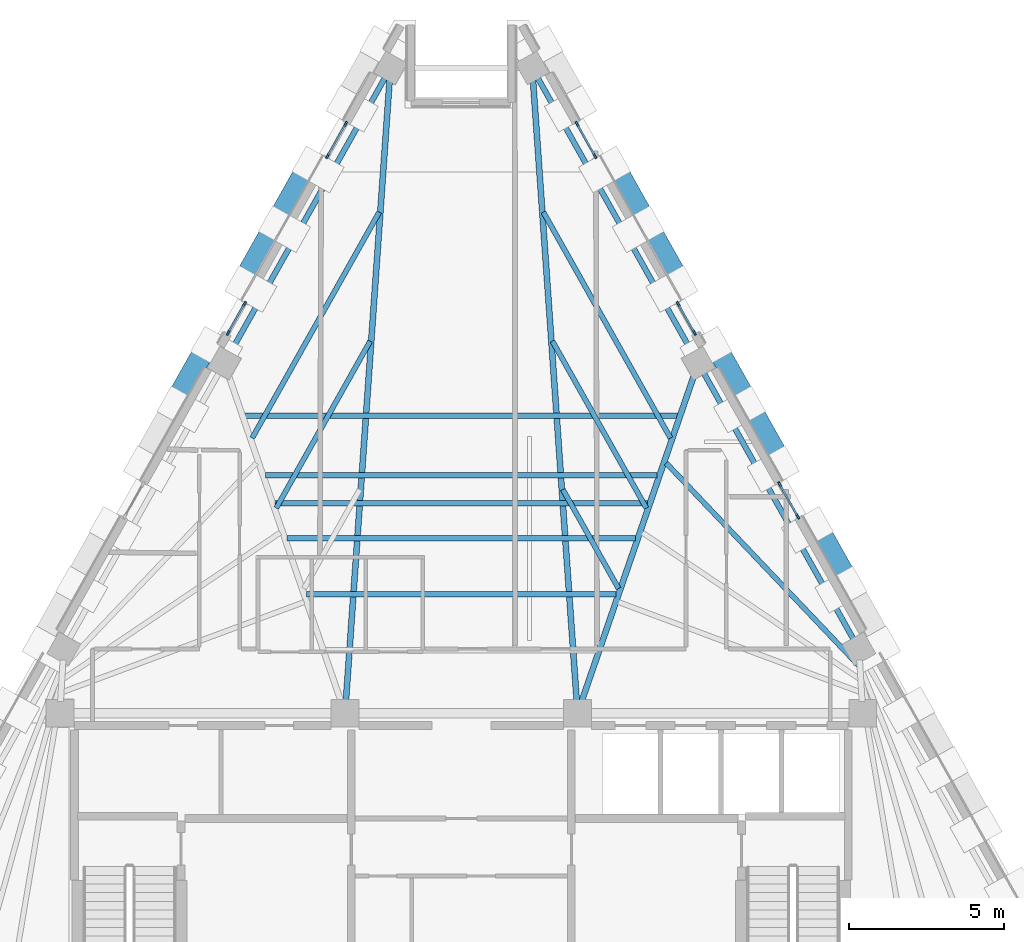
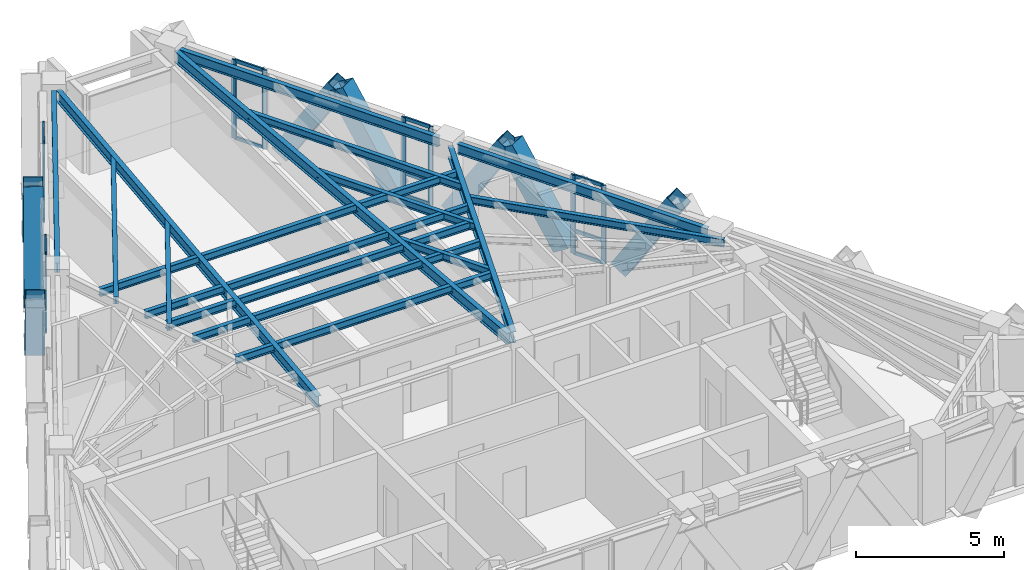
# One storey, part 3 of 9: 33 members, 17 beams, 5 elements without a shape of their own.
"""IFC4 building model written with IfcOpenShell, lengths in metres."""

from ifc_helpers import new_model, si_unit, direction, frame, origin, origin_2d, place, context, subcontext, project, spatial, rectangle, hollow_rectangle, i_section, extrude, material, material_profile, profile_set, type_object, element, aggregate, save


model = new_model("IFC4")

# Units and contexts
model_context = context("Model", 3, precision=1e-05, world=origin(), true_north=direction((0.0, 1.0)))
body_context = subcontext(model_context, "Body", "Model", "MODEL_VIEW")
ifc_project = project(units=[si_unit("LENGTHUNIT", "METRE"), si_unit("AREAUNIT", "SQUARE_METRE"), si_unit("VOLUMEUNIT", "CUBIC_METRE"), si_unit("PLANEANGLEUNIT", "RADIAN"), si_unit("MASSUNIT", "GRAM", prefix="KILO")], contexts=[model_context])

# Site, building, storey
site_placement = place(None, origin())
site = spatial("IfcSite", under=ifc_project, at=site_placement, CompositionType="ELEMENT")
building_placement = place(site_placement, origin())
building = spatial("IfcBuilding", under=site, at=building_placement, Name="Quenlor Broadcast Tower", CompositionType="ELEMENT")
storey_placement = place(building_placement, frame((0.0, 0.0, 235.89990234375)))
storey = spatial("IfcBuildingStorey", under=building, at=storey_placement, Name="L65", CompositionType="ELEMENT", Elevation=235.89990234375)

# Curtain wall, members
ifc_material_1 = material(Name="Architectural Terracotta and Low-E Glazing", Category="masonry")
curtain_wall_type = type_object("IfcCurtainWallType", Name="Unitised Terracotta Curtain Wall System Z5", PredefinedType="NOTDEFINED", material=ifc_material_1)
curtain_wall_1_placement = place(storey_placement, origin())
curtain_wall_1 = element("IfcCurtainWall", 1, at=curtain_wall_1_placement, inside=storey, type_object=curtain_wall_type, Name="L65 Curtain Wall CW5 (L65-NEA-G1)", PredefinedType="NOTDEFINED")
ifc_material_2 = material(Name="Aluminium 6063-T6", Category="aluminium")
ifc_material_profile_1 = material_profile(ifc_material_2, rectangle(XDim=0.06494140625, YDim=0.169921875, at=origin_2d()))
ifc_profile_set_1 = profile_set([ifc_material_profile_1], Name="Aluminium 6063-T6 MULL65x170")
member_type_1 = type_object("IfcMemberType", Name="CW5 Aluminium Mullion MULL_CW5", PredefinedType="MULLION", material=ifc_profile_set_1)
member_1_placement = place(storey_placement, frame((3.72802734375, 14.211669921875, 0.0), z_axis=(0.0, 0.0, 1.0), x_axis=(0.871558583916, 0.49029137745, 0.0)))
member_1 = element("IfcMember", 2, at=member_1_placement, type_object=member_type_1, Name="CW5 mullion 1", PredefinedType="MULLION", context=body_context, shape_type="SweptSolid", body=[
    extrude(rectangle(XDim=0.06494140625, YDim=0.169921875, at=origin_2d()), origin(), (0.0, 0.0, 1.0), 3.25),
])
member_2_placement = place(storey_placement, frame((4.31396484375, 13.169921875, 0.0), z_axis=(0.0, 0.0, 1.0), x_axis=(0.871558583916, 0.49029137745, 0.0)))
member_2 = element("IfcMember", 3, at=member_2_placement, type_object=member_type_1, Name="CW5 mullion 2", PredefinedType="MULLION", context=body_context, shape_type="SweptSolid", body=[
    extrude(rectangle(XDim=0.06494140625, YDim=0.169921875, at=origin_2d()), origin(), (0.0, 0.0, 1.0), 3.25),
])

curtain_wall_2_placement = place(storey_placement, origin())
curtain_wall_2 = element("IfcCurtainWall", 4, at=curtain_wall_2_placement, inside=storey, type_object=curtain_wall_type, Name="L65 Curtain Wall CW5 (L65-NEA-G2)", PredefinedType="NOTDEFINED")
member_3_placement = place(storey_placement, frame((6.99755859375, 8.39892578125, 0.0), z_axis=(0.0, 0.0, 1.0), x_axis=(0.871563693894, 0.490282293669, 0.0)))
member_3 = element("IfcMember", 5, at=member_3_placement, type_object=member_type_1, Name="CW5 mullion 1", PredefinedType="MULLION", context=body_context, shape_type="SweptSolid", body=[
    extrude(rectangle(XDim=0.06494140625, YDim=0.169921875, at=origin_2d()), origin(), (0.0, 0.0, 1.0), 3.25),
])
member_4_placement = place(storey_placement, frame((7.5185546875, 7.472900390625, 0.0), z_axis=(0.0, 0.0, 1.0), x_axis=(0.871563693894, 0.490282293669, 0.0)))
member_4 = element("IfcMember", 6, at=member_4_placement, type_object=member_type_1, Name="CW5 mullion 2", PredefinedType="MULLION", context=body_context, shape_type="SweptSolid", body=[
    extrude(rectangle(XDim=0.06494140625, YDim=0.169921875, at=origin_2d()), origin(), (0.0, 0.0, 1.0), 3.25),
])

curtain_wall_3_placement = place(storey_placement, origin())
curtain_wall_3 = element("IfcCurtainWall", 7, at=curtain_wall_3_placement, inside=storey, type_object=curtain_wall_type, Name="L65 Curtain Wall CW5 (L65-NE-G1)", PredefinedType="NOTDEFINED")
member_5_placement = place(storey_placement, frame((10.267333984375, 2.586181640625, 0.0), z_axis=(0.0, 0.0, 1.0), x_axis=(0.871592489955, 0.490231100048, 0.0)))
member_5 = element("IfcMember", 8, at=member_5_placement, type_object=member_type_1, Name="CW5 mullion 1", PredefinedType="MULLION", context=body_context, shape_type="SweptSolid", body=[
    extrude(rectangle(XDim=0.06494140625, YDim=0.169921875, at=origin_2d()), origin(), (0.0, 0.0, 1.0), 3.25),
])
member_6_placement = place(storey_placement, frame((10.853271484375, 1.54443359375, 0.0), z_axis=(0.0, 0.0, 1.0), x_axis=(0.871592489955, 0.490231100048, 0.0)))
member_6 = element("IfcMember", 9, at=member_6_placement, type_object=member_type_1, Name="CW5 mullion 2", PredefinedType="MULLION", context=body_context, shape_type="SweptSolid", body=[
    extrude(rectangle(XDim=0.06494140625, YDim=0.169921875, at=origin_2d()), origin(), (0.0, 0.0, 1.0), 3.25),
])

curtain_wall_4_placement = place(storey_placement, origin())
curtain_wall_4 = element("IfcCurtainWall", 10, at=curtain_wall_4_placement, inside=storey, type_object=curtain_wall_type, Name="L65 Curtain Wall CW5 (L65-NWC-G1)", PredefinedType="NOTDEFINED")
member_7_placement = place(storey_placement, frame((-7.5185546875, 7.472900390625, 0.0), z_axis=(0.0, 0.0, 1.0), x_axis=(-0.871563693894, 0.490282293669, 0.0)))
member_7 = element("IfcMember", 11, at=member_7_placement, type_object=member_type_1, Name="CW5 mullion 1", PredefinedType="MULLION", context=body_context, shape_type="SweptSolid", body=[
    extrude(rectangle(XDim=0.06494140625, YDim=0.169921875, at=origin_2d()), origin(), (0.0, 0.0, 1.0), 3.25),
])
member_8_placement = place(storey_placement, frame((-6.99755859375, 8.39892578125, 0.0), z_axis=(0.0, 0.0, 1.0), x_axis=(-0.871563693894, 0.490282293669, 0.0)))
member_8 = element("IfcMember", 12, at=member_8_placement, type_object=member_type_1, Name="CW5 mullion 2", PredefinedType="MULLION", context=body_context, shape_type="SweptSolid", body=[
    extrude(rectangle(XDim=0.06494140625, YDim=0.169921875, at=origin_2d()), origin(), (0.0, 0.0, 1.0), 3.25),
])

curtain_wall_5_placement = place(storey_placement, origin())
curtain_wall_5 = element("IfcCurtainWall", 13, at=curtain_wall_5_placement, inside=storey, type_object=curtain_wall_type, Name="L65 Curtain Wall CW5 (L65-NWC-G2)", PredefinedType="NOTDEFINED")
member_9_placement = place(storey_placement, frame((-4.31396484375, 13.169921875, 0.0), z_axis=(0.0, 0.0, 1.0), x_axis=(-0.871558583916, 0.49029137745, 0.0)))
member_9 = element("IfcMember", 14, at=member_9_placement, type_object=member_type_1, Name="CW5 mullion 1", PredefinedType="MULLION", context=body_context, shape_type="SweptSolid", body=[
    extrude(rectangle(XDim=0.06494140625, YDim=0.169921875, at=origin_2d()), origin(), (0.0, 0.0, 1.0), 3.25),
])
member_10_placement = place(storey_placement, frame((-3.72802734375, 14.211669921875, 0.0), z_axis=(0.0, 0.0, 1.0), x_axis=(-0.871558583916, 0.49029137745, 0.0)))
member_10 = element("IfcMember", 15, at=member_10_placement, type_object=member_type_1, Name="CW5 mullion 2", PredefinedType="MULLION", context=body_context, shape_type="SweptSolid", body=[
    extrude(rectangle(XDim=0.06494140625, YDim=0.169921875, at=origin_2d()), origin(), (0.0, 0.0, 1.0), 3.25),
])

# Member
ifc_material_3 = material(Name="Aluminium 6063-T6", Category="aluminium")
ifc_material_profile_2 = material_profile(ifc_material_3, rectangle(XDim=0.06494140625, YDim=0.139892578125, at=origin_2d()))
ifc_profile_set_2 = profile_set([ifc_material_profile_2], Name="Aluminium 6063-T6 TRAN65x140")
member_type_2 = type_object("IfcMemberType", Name="CW5 Aluminium Transom TRAN_CW5", PredefinedType="USERDEFINED", material=ifc_profile_set_2)
member_11_placement = place(storey_placement, frame((3.743896484375, 14.183349609375, 0.03271484375), z_axis=(0.490312513966, -0.871546693327, 0.0), x_axis=(0.871546693327, 0.490312513966, 0.0)))
member_11 = element("IfcMember", 16, at=member_11_placement, type_object=member_type_2, Name="CW5 transom 1.1", ObjectType="TRANSOM", PredefinedType="USERDEFINED", context=body_context, shape_type="SweptSolid", body=[
    extrude(rectangle(XDim=0.06494140625, YDim=0.139892578125, at=origin_2d()), origin(), (0.0, 0.0, 1.0), 1.13037109375),
])

member_12_placement = place(storey_placement, frame((3.743896484375, 14.183349609375, 0.9501953125), z_axis=(0.490312513966, -0.871546693327, 0.0), x_axis=(0.871546693327, 0.490312513966, 0.0)))
member_12 = element("IfcMember", 17, at=member_12_placement, type_object=member_type_2, Name="CW5 transom 1.2", ObjectType="TRANSOM", PredefinedType="USERDEFINED", context=body_context, shape_type="SweptSolid", body=[
    extrude(rectangle(XDim=0.06494140625, YDim=0.139892578125, at=origin_2d()), origin(), (0.0, 0.0, 1.0), 1.13037109375),
])

member_13_placement = place(storey_placement, frame((3.743896484375, 14.183349609375, 3.217529296875), z_axis=(0.490312513966, -0.871546693327, 0.0), x_axis=(0.871546693327, 0.490312513966, 0.0)))
member_13 = element("IfcMember", 18, at=member_13_placement, type_object=member_type_2, Name="CW5 transom 1.3", ObjectType="TRANSOM", PredefinedType="USERDEFINED", context=body_context, shape_type="SweptSolid", body=[
    extrude(rectangle(XDim=0.06494140625, YDim=0.139892578125, at=origin_2d()), origin(), (0.0, 0.0, 1.0), 1.13037109375),
])

aggregate(curtain_wall_1, [member_1, member_2, member_11, member_12, member_13])

member_14_placement = place(storey_placement, frame((7.013427734375, 8.37060546875, 0.03271484375), z_axis=(0.490249619047, -0.871582073602, 0.0), x_axis=(0.871582073602, 0.490249619047, 0.0)))
member_14 = element("IfcMember", 19, at=member_14_placement, type_object=member_type_2, Name="CW5 transom 1.1", ObjectType="TRANSOM", PredefinedType="USERDEFINED", context=body_context, shape_type="SweptSolid", body=[
    extrude(rectangle(XDim=0.06494140625, YDim=0.139892578125, at=origin_2d()), origin(), (0.0, 0.0, 1.0), 0.99755859375),
])

member_15_placement = place(storey_placement, frame((7.013427734375, 8.37060546875, 0.9501953125), z_axis=(0.490249619047, -0.871582073602, 0.0), x_axis=(0.871582073602, 0.490249619047, 0.0)))
member_15 = element("IfcMember", 20, at=member_15_placement, type_object=member_type_2, Name="CW5 transom 1.2", ObjectType="TRANSOM", PredefinedType="USERDEFINED", context=body_context, shape_type="SweptSolid", body=[
    extrude(rectangle(XDim=0.06494140625, YDim=0.139892578125, at=origin_2d()), origin(), (0.0, 0.0, 1.0), 0.99755859375),
])

member_16_placement = place(storey_placement, frame((7.013427734375, 8.37060546875, 3.217529296875), z_axis=(0.490249619047, -0.871582073602, 0.0), x_axis=(0.871582073602, 0.490249619047, 0.0)))
member_16 = element("IfcMember", 21, at=member_16_placement, type_object=member_type_2, Name="CW5 transom 1.3", ObjectType="TRANSOM", PredefinedType="USERDEFINED", context=body_context, shape_type="SweptSolid", body=[
    extrude(rectangle(XDim=0.06494140625, YDim=0.139892578125, at=origin_2d()), origin(), (0.0, 0.0, 1.0), 0.99755859375),
])

aggregate(curtain_wall_2, [member_3, member_4, member_14, member_15, member_16])

member_17_placement = place(storey_placement, frame((10.283203125, 2.557861328125, 0.03271484375), z_axis=(0.490312513966, -0.871546693327, 0.0), x_axis=(0.871546693327, 0.490312513966, 0.0)))
member_17 = element("IfcMember", 22, at=member_17_placement, type_object=member_type_2, Name="CW5 transom 1.1", ObjectType="TRANSOM", PredefinedType="USERDEFINED", context=body_context, shape_type="SweptSolid", body=[
    extrude(rectangle(XDim=0.06494140625, YDim=0.139892578125, at=origin_2d()), origin(), (0.0, 0.0, 1.0), 1.13037109375),
])

member_18_placement = place(storey_placement, frame((10.283203125, 2.557861328125, 0.9501953125), z_axis=(0.490312513966, -0.871546693327, 0.0), x_axis=(0.871546693327, 0.490312513966, 0.0)))
member_18 = element("IfcMember", 23, at=member_18_placement, type_object=member_type_2, Name="CW5 transom 1.2", ObjectType="TRANSOM", PredefinedType="USERDEFINED", context=body_context, shape_type="SweptSolid", body=[
    extrude(rectangle(XDim=0.06494140625, YDim=0.139892578125, at=origin_2d()), origin(), (0.0, 0.0, 1.0), 1.13037109375),
])

member_19_placement = place(storey_placement, frame((10.283203125, 2.557861328125, 3.217529296875), z_axis=(0.490312513966, -0.871546693327, 0.0), x_axis=(0.871546693327, 0.490312513966, 0.0)))
member_19 = element("IfcMember", 24, at=member_19_placement, type_object=member_type_2, Name="CW5 transom 1.3", ObjectType="TRANSOM", PredefinedType="USERDEFINED", context=body_context, shape_type="SweptSolid", body=[
    extrude(rectangle(XDim=0.06494140625, YDim=0.139892578125, at=origin_2d()), origin(), (0.0, 0.0, 1.0), 1.13037109375),
])

aggregate(curtain_wall_3, [member_5, member_6, member_17, member_18, member_19])

member_20_placement = place(storey_placement, frame((-7.50244140625, 7.501220703125, 0.03271484375), z_axis=(0.490249619047, 0.871582073602, 0.0), x_axis=(-0.871582073602, 0.490249619047, 0.0)))
member_20 = element("IfcMember", 25, at=member_20_placement, type_object=member_type_2, Name="CW5 transom 1.1", ObjectType="TRANSOM", PredefinedType="USERDEFINED", context=body_context, shape_type="SweptSolid", body=[
    extrude(rectangle(XDim=0.06494140625, YDim=0.139892578125, at=origin_2d()), origin(), (0.0, 0.0, 1.0), 0.99755859375),
])

member_21_placement = place(storey_placement, frame((-7.50244140625, 7.501220703125, 0.9501953125), z_axis=(0.490249619047, 0.871582073602, 0.0), x_axis=(-0.871582073602, 0.490249619047, 0.0)))
member_21 = element("IfcMember", 26, at=member_21_placement, type_object=member_type_2, Name="CW5 transom 1.2", ObjectType="TRANSOM", PredefinedType="USERDEFINED", context=body_context, shape_type="SweptSolid", body=[
    extrude(rectangle(XDim=0.06494140625, YDim=0.139892578125, at=origin_2d()), origin(), (0.0, 0.0, 1.0), 0.99755859375),
])

member_22_placement = place(storey_placement, frame((-7.50244140625, 7.501220703125, 3.217529296875), z_axis=(0.490249619047, 0.871582073602, 0.0), x_axis=(-0.871582073602, 0.490249619047, 0.0)))
member_22 = element("IfcMember", 27, at=member_22_placement, type_object=member_type_2, Name="CW5 transom 1.3", ObjectType="TRANSOM", PredefinedType="USERDEFINED", context=body_context, shape_type="SweptSolid", body=[
    extrude(rectangle(XDim=0.06494140625, YDim=0.139892578125, at=origin_2d()), origin(), (0.0, 0.0, 1.0), 0.99755859375),
])

aggregate(curtain_wall_4, [member_7, member_8, member_20, member_21, member_22])

member_23_placement = place(storey_placement, frame((-4.298095703125, 13.1982421875, 0.03271484375), z_axis=(0.490312513966, 0.871546693327, 0.0), x_axis=(-0.871546693327, 0.490312513966, 0.0)))
member_23 = element("IfcMember", 28, at=member_23_placement, type_object=member_type_2, Name="CW5 transom 1.1", ObjectType="TRANSOM", PredefinedType="USERDEFINED", context=body_context, shape_type="SweptSolid", body=[
    extrude(rectangle(XDim=0.06494140625, YDim=0.139892578125, at=origin_2d()), origin(), (0.0, 0.0, 1.0), 1.13037109375),
])

member_24_placement = place(storey_placement, frame((-4.298095703125, 13.1982421875, 0.9501953125), z_axis=(0.490312513966, 0.871546693327, 0.0), x_axis=(-0.871546693327, 0.490312513966, 0.0)))
member_24 = element("IfcMember", 29, at=member_24_placement, type_object=member_type_2, Name="CW5 transom 1.2", ObjectType="TRANSOM", PredefinedType="USERDEFINED", context=body_context, shape_type="SweptSolid", body=[
    extrude(rectangle(XDim=0.06494140625, YDim=0.139892578125, at=origin_2d()), origin(), (0.0, 0.0, 1.0), 1.13037109375),
])

member_25_placement = place(storey_placement, frame((-4.298095703125, 13.1982421875, 3.217529296875), z_axis=(0.490312513966, 0.871546693327, 0.0), x_axis=(-0.871546693327, 0.490312513966, 0.0)))
member_25 = element("IfcMember", 30, at=member_25_placement, type_object=member_type_2, Name="CW5 transom 1.3", ObjectType="TRANSOM", PredefinedType="USERDEFINED", context=body_context, shape_type="SweptSolid", body=[
    extrude(rectangle(XDim=0.06494140625, YDim=0.139892578125, at=origin_2d()), origin(), (0.0, 0.0, 1.0), 1.13037109375),
])

aggregate(curtain_wall_5, [member_9, member_10, member_23, member_24, member_25])

# Members
ifc_material_4 = material(Name="Steel S355", Category="steel")
ifc_material_profile_3 = material_profile(ifc_material_4, hollow_rectangle(XDim=0.679931640625, YDim=0.679931640625, WallThickness=0.02001953125, at=origin_2d()))
ifc_profile_set_3 = profile_set([ifc_material_profile_3], Name="Steel S355 RHS680x680x20")
member_type_3 = type_object("IfcMemberType", Name="Perimeter Diagonal Lattice Brace Z5-Crown Steel S355 RHS680x20", PredefinedType="BRACE", material=ifc_profile_set_3)
for number, where, z_axis, x_axis, name in (
    (31, (4.916748046875, 12.904052734375, -0.119873046875), (0.260563732169, -0.463283497491, 0.847038926161), (0.871602253711, 0.49021374045, 0.0), "L65 Perimeter Diamond Lattice NE-C1S"),
    (32, (8.186279296875, 7.09130859375, -0.119873046875), (0.260618804175, -0.463276364439, 0.847025884529), (0.8715547569, 0.490298180422, 0.0), "L65 Perimeter Diamond Lattice NE-C2S"),
    (33, (7.08349609375, 9.052001953125, -0.119873046875), (-0.260618804175, 0.463276364439, 0.847025884529), (-0.8715547569, -0.490298180422, 0.0), "L65 Perimeter Diamond Lattice NE-C2B"),
    (34, (11.4560546875, 1.2783203125, -0.119873046875), (0.260618804175, -0.463276364439, 0.847025884529), (0.8715547569, 0.490298180422, 0.0), "L65 Perimeter Diamond Lattice NE-C3S"),
    (35, (10.35302734375, 3.2392578125, -0.119873046875), (-0.260563732169, 0.463283497491, 0.847038926161), (-0.871602253711, -0.49021374045, 0.0), "L65 Perimeter Diamond Lattice NE-C3B"),
    (36, (-7.08349609375, 9.052001953125, -0.119873046875), (0.260618804175, 0.463276364439, 0.847025884529), (-0.8715547569, 0.490298180422, 0.0), "L65 Perimeter Diamond Lattice NW-C4S"),
    (37, (-8.186279296875, 7.09130859375, -0.119873046875), (-0.260618804175, -0.463276364439, 0.847025884529), (0.8715547569, -0.490298180422, 0.0), "L65 Perimeter Diamond Lattice NW-C4B"),
    (38, (-4.916748046875, 12.904052734375, -0.119873046875), (-0.260563732169, -0.463283497491, 0.847038926161), (0.871602253711, -0.49021374045, 0.0), "L65 Perimeter Diamond Lattice NW-C5B"),
):
    element("IfcMember", number, at=place(storey_placement, frame(where, z_axis=z_axis, x_axis=x_axis)), inside=storey, type_object=member_type_3, Name=name, PredefinedType="BRACE", context=body_context, shape_type="SweptSolid", body=[
        extrude(hollow_rectangle(XDim=0.679931640625, YDim=0.679931640625, WallThickness=0.02001953125, at=origin_2d()), origin(), (0.0, 0.0, 1.0), 4.132080078125),
    ])

# Beams
ifc_material_5 = material(Name="Steel S355", Category="steel")
ifc_material_profile_4 = material_profile(ifc_material_5, i_section(OverallWidth=0.177978515625, OverallDepth=0.406494140625, WebThickness=0.0078125, FlangeThickness=0.0126953125, FilletRadius=0.011474609375, at=origin_2d()))
ifc_profile_set_4 = profile_set([ifc_material_profile_4], Name="Steel S355 410UB59.7")
beam_type_1 = type_object("IfcBeamType", Name="Perimeter Spandrel Beam Z5 Steel S355 410UB59.7", PredefinedType="SPANDREL", material=ifc_profile_set_4)
beam_1_placement = place(storey_placement, frame((12.64892578125, -2.412841796875, 3.046875), z_axis=(-0.49024947634, 0.871582153872, 0.0), x_axis=(-0.871582153872, -0.49024947634, 0.0)))
element("IfcBeam", 39, at=beam_1_placement, inside=storey, type_object=beam_type_1, Name="L65 Spandrel Beam NE2-NE3", PredefinedType="SPANDREL", context=body_context, shape_type="SweptSolid", body=[
    extrude(i_section(OverallWidth=0.177978515625, OverallDepth=0.406494140625, WebThickness=0.0078125, FlangeThickness=0.0126953125, FilletRadius=0.011474609375, at=origin_2d()), origin(), (0.0, 0.0, 1.0), 9.853759765625),
])
for number, where, z_axis, x_axis, name in (
    (40, (7.465087890625, 6.802978515625, 3.046875), (-0.490264646634, 0.871573620677, 0.0), (-0.871573620677, -0.490264646634, 0.0), "L65 Spandrel Beam NE3-NE4"),
    (41, (-2.461181640625, 15.69873046875, 3.046875), (-0.490264646634, -0.871573620677, 0.0), (0.871573620677, -0.490264646634, 0.0), "L65 Spandrel Beam NW1-NW2"),
):
    element("IfcBeam", number, at=place(storey_placement, frame(where, z_axis=z_axis, x_axis=x_axis)), inside=storey, type_object=beam_type_1, Name=name, PredefinedType="SPANDREL", context=body_context, shape_type="SweptSolid", body=[
        extrude(i_section(OverallWidth=0.177978515625, OverallDepth=0.406494140625, WebThickness=0.0078125, FlangeThickness=0.0126953125, FilletRadius=0.011474609375, at=origin_2d()), origin(), (0.0, 0.0, 1.0), 10.20654296875),
    ])
ifc_material_6 = material(Name="Steel S355", Category="steel")
ifc_material_profile_5 = material_profile(ifc_material_6, i_section(OverallWidth=0.166015625, OverallDepth=0.30712890625, WebThickness=0.006591796875, FlangeThickness=0.01171875, FilletRadius=0.011474609375, at=origin_2d()))
ifc_profile_set_5 = profile_set([ifc_material_profile_5], Name="Steel S355 310UB46.2")
beam_type_2 = type_object("IfcBeamType", Name="Tower Composite Joist Z4-Z5 Steel S355 310UB46.2", PredefinedType="JOIST", material=ifc_profile_set_5)
beam_2_placement = place(storey_placement, frame((-6.0048828125, 1.9736328125, 3.096435546875), z_axis=(1.0, 0.0, 0.0), x_axis=(0.0, 1.0, 0.0)))
element("IfcBeam", 42, at=beam_2_placement, inside=storey, type_object=beam_type_2, Name="L65 Secondary Composite Joist 2", PredefinedType="JOIST", context=body_context, shape_type="SweptSolid", body=[
    extrude(i_section(OverallWidth=0.166015625, OverallDepth=0.30712890625, WebThickness=0.006591796875, FlangeThickness=0.01171875, FilletRadius=0.011474609375, at=origin_2d()), origin(), (0.0, 0.0, 1.0), 12.009765625),
])
beam_3_placement = place(storey_placement, frame((-4.9931640625, -0.961669921875, 3.096435546875), z_axis=(1.0, 0.0, 0.0), x_axis=(0.0, 1.0, 0.0)))
element("IfcBeam", 43, at=beam_3_placement, inside=storey, type_object=beam_type_2, Name="L65 Secondary Composite Joist 3", PredefinedType="JOIST", context=body_context, shape_type="SweptSolid", body=[
    extrude(i_section(OverallWidth=0.166015625, OverallDepth=0.30712890625, WebThickness=0.006591796875, FlangeThickness=0.01171875, FilletRadius=0.011474609375, at=origin_2d()), origin(), (0.0, 0.0, 1.0), 9.986328125),
])
beam_4_placement = place(storey_placement, frame((-5.61572265625, 0.8447265625, 3.096435546875), z_axis=(1.0, 0.0, 0.0), x_axis=(0.0, 1.0, 0.0)))
element("IfcBeam", 44, at=beam_4_placement, inside=storey, type_object=beam_type_2, Name="L65 Secondary Composite Joist 4", PredefinedType="JOIST", context=body_context, shape_type="SweptSolid", body=[
    extrude(i_section(OverallWidth=0.166015625, OverallDepth=0.30712890625, WebThickness=0.006591796875, FlangeThickness=0.01171875, FilletRadius=0.011474609375, at=origin_2d()), origin(), (0.0, 0.0, 1.0), 11.2314453125),
])
beam_5_placement = place(storey_placement, frame((-6.316162109375, 2.876708984375, 3.096435546875), z_axis=(1.0, 0.0, 0.0), x_axis=(0.0, 1.0, 0.0)))
element("IfcBeam", 45, at=beam_5_placement, inside=storey, type_object=beam_type_2, Name="L65 Secondary Composite Joist 5", PredefinedType="JOIST", context=body_context, shape_type="SweptSolid", body=[
    extrude(i_section(OverallWidth=0.166015625, OverallDepth=0.30712890625, WebThickness=0.006591796875, FlangeThickness=0.01171875, FilletRadius=0.011474609375, at=origin_2d()), origin(), (0.0, 0.0, 1.0), 12.63232421875),
])
beam_6_placement = place(storey_placement, frame((-6.977783203125, 4.7958984375, 3.096435546875), z_axis=(1.0, 0.0, 0.0), x_axis=(0.0, 1.0, 0.0)))
element("IfcBeam", 46, at=beam_6_placement, inside=storey, type_object=beam_type_2, Name="L65 Secondary Composite Joist 6", PredefinedType="JOIST", context=body_context, shape_type="SweptSolid", body=[
    extrude(i_section(OverallWidth=0.166015625, OverallDepth=0.30712890625, WebThickness=0.006591796875, FlangeThickness=0.01171875, FilletRadius=0.011474609375, at=origin_2d()), origin(), (0.0, 0.0, 1.0), 13.95556640625),
])
beam_7_placement = place(storey_placement, frame((12.80517578125, -3.249267578125, 3.096435546875), z_axis=(-0.689023306429, 0.724739182877, 0.0), x_axis=(-0.724739182877, -0.689023306429, 0.0)))
element("IfcBeam", 47, at=beam_7_placement, inside=storey, type_object=beam_type_2, Name="L65 Secondary Composite Joist 12", PredefinedType="JOIST", context=body_context, shape_type="SweptSolid", body=[
    extrude(i_section(OverallWidth=0.166015625, OverallDepth=0.30712890625, WebThickness=0.006591796875, FlangeThickness=0.01171875, FilletRadius=0.011474609375, at=origin_2d()), origin(), (0.0, 0.0, 1.0), 8.99560546875),
])
beam_8_placement = place(storey_placement, frame((-2.939208984375, 7.201416015625, 3.096435546875), z_axis=(-0.490266868828, -0.871572370678, 0.0), x_axis=(0.871572370678, -0.490266868828, 0.0)))
element("IfcBeam", 48, at=beam_8_placement, inside=storey, type_object=beam_type_2, Name="L65 Secondary Composite Joist 26", PredefinedType="JOIST", context=body_context, shape_type="SweptSolid", body=[
    extrude(i_section(OverallWidth=0.166015625, OverallDepth=0.30712890625, WebThickness=0.006591796875, FlangeThickness=0.01171875, FilletRadius=0.011474609375, at=origin_2d()), origin(), (0.0, 0.0, 1.0), 6.177490234375),
])
beam_9_placement = place(storey_placement, frame((-2.646240234375, 11.364013671875, 3.096435546875), z_axis=(-0.490264011812, -0.871573977768, 0.0), x_axis=(0.871573977768, -0.490264011812, 0.0)))
element("IfcBeam", 49, at=beam_9_placement, inside=storey, type_object=beam_type_2, Name="L65 Secondary Composite Joist 27", PredefinedType="JOIST", context=body_context, shape_type="SweptSolid", body=[
    extrude(i_section(OverallWidth=0.166015625, OverallDepth=0.30712890625, WebThickness=0.006591796875, FlangeThickness=0.01171875, FilletRadius=0.011474609375, at=origin_2d()), origin(), (0.0, 0.0, 1.0), 8.362548828125),
])
beam_10_placement = place(storey_placement, frame((3.2763671875, 2.41455078125, 3.096435546875), z_axis=(0.490258076222, -0.871577316535, 0.0), x_axis=(0.871577316535, 0.490258076222, 0.0)))
element("IfcBeam", 50, at=beam_10_placement, inside=storey, type_object=beam_type_2, Name="L65 Secondary Composite Joist 28", PredefinedType="JOIST", context=body_context, shape_type="SweptSolid", body=[
    extrude(i_section(OverallWidth=0.166015625, OverallDepth=0.30712890625, WebThickness=0.006591796875, FlangeThickness=0.01171875, FilletRadius=0.011474609375, at=origin_2d()), origin(), (0.0, 0.0, 1.0), 3.6640625),
])
beam_11_placement = place(storey_placement, frame((2.939208984375, 7.201416015625, 3.096435546875), z_axis=(0.490266868828, -0.871572370678, 0.0), x_axis=(0.871572370678, 0.490266868828, 0.0)))
element("IfcBeam", 51, at=beam_11_placement, inside=storey, type_object=beam_type_2, Name="L65 Secondary Composite Joist 29", PredefinedType="JOIST", context=body_context, shape_type="SweptSolid", body=[
    extrude(i_section(OverallWidth=0.166015625, OverallDepth=0.30712890625, WebThickness=0.006591796875, FlangeThickness=0.01171875, FilletRadius=0.011474609375, at=origin_2d()), origin(), (0.0, 0.0, 1.0), 6.177490234375),
])
beam_12_placement = place(storey_placement, frame((2.646240234375, 11.364013671875, 3.096435546875), z_axis=(0.490264011812, -0.871573977768, 0.0), x_axis=(0.871573977768, 0.490264011812, 0.0)))
element("IfcBeam", 52, at=beam_12_placement, inside=storey, type_object=beam_type_2, Name="L65 Secondary Composite Joist 30", PredefinedType="JOIST", context=body_context, shape_type="SweptSolid", body=[
    extrude(i_section(OverallWidth=0.166015625, OverallDepth=0.30712890625, WebThickness=0.006591796875, FlangeThickness=0.01171875, FilletRadius=0.011474609375, at=origin_2d()), origin(), (0.0, 0.0, 1.0), 8.362548828125),
])
ifc_material_7 = material(Name="Steel S355", Category="steel")
ifc_material_profile_6 = material_profile(ifc_material_7, i_section(OverallWidth=0.19091796875, OverallDepth=0.46044921875, WebThickness=0.010009765625, FlangeThickness=0.01611328125, FilletRadius=0.011474609375, at=origin_2d()))
ifc_profile_set_6 = profile_set([ifc_material_profile_6], Name="Steel S355 460UB82.1")
beam_type_3 = type_object("IfcBeamType", Name="Tower Primary Floor Beam Z5 Steel S355 460UB82.1", PredefinedType="BEAM", material=ifc_profile_set_6)
beam_13_placement = place(storey_placement, frame((7.524169921875, 6.14892578125, 3.02001953125), z_axis=(-0.325895297662, -0.945405867848, 0.0), x_axis=(0.945405867848, -0.325895297662, 0.0)))
element("IfcBeam", 53, at=beam_13_placement, inside=storey, type_object=beam_type_3, Name="L65 Primary Radial Beam NE3", PredefinedType="BEAM", context=body_context, shape_type="SweptSolid", body=[
    extrude(i_section(OverallWidth=0.19091796875, OverallDepth=0.46044921875, WebThickness=0.010009765625, FlangeThickness=0.01611328125, FilletRadius=0.011474609375, at=origin_2d()), origin(), (0.0, 0.0, 1.0), 11.201171875),
])
for number, where, z_axis, x_axis, name in (
    (54, (2.31005859375, 15.6533203125, 3.02001953125), (0.070231384782, -0.997530727643, 0.0), (0.997530727643, 0.070231384782, 0.0), "L65 Primary Radial Beam NE4"),
    (55, (-2.31005859375, 15.6533203125, 3.02001953125), (-0.070231384782, -0.997530727643, 0.0), (0.997530727643, -0.070231384782, 0.0), "L65 Primary Radial Beam NW1"),
):
    element("IfcBeam", number, at=place(storey_placement, frame(where, z_axis=z_axis, x_axis=x_axis)), inside=storey, type_object=beam_type_3, Name=name, PredefinedType="BEAM", context=body_context, shape_type="SweptSolid", body=[
        extrude(i_section(OverallWidth=0.19091796875, OverallDepth=0.46044921875, WebThickness=0.010009765625, FlangeThickness=0.01611328125, FilletRadius=0.011474609375, at=origin_2d()), origin(), (0.0, 0.0, 1.0), 20.1240234375),
    ])

save(model, "model.ifc")
